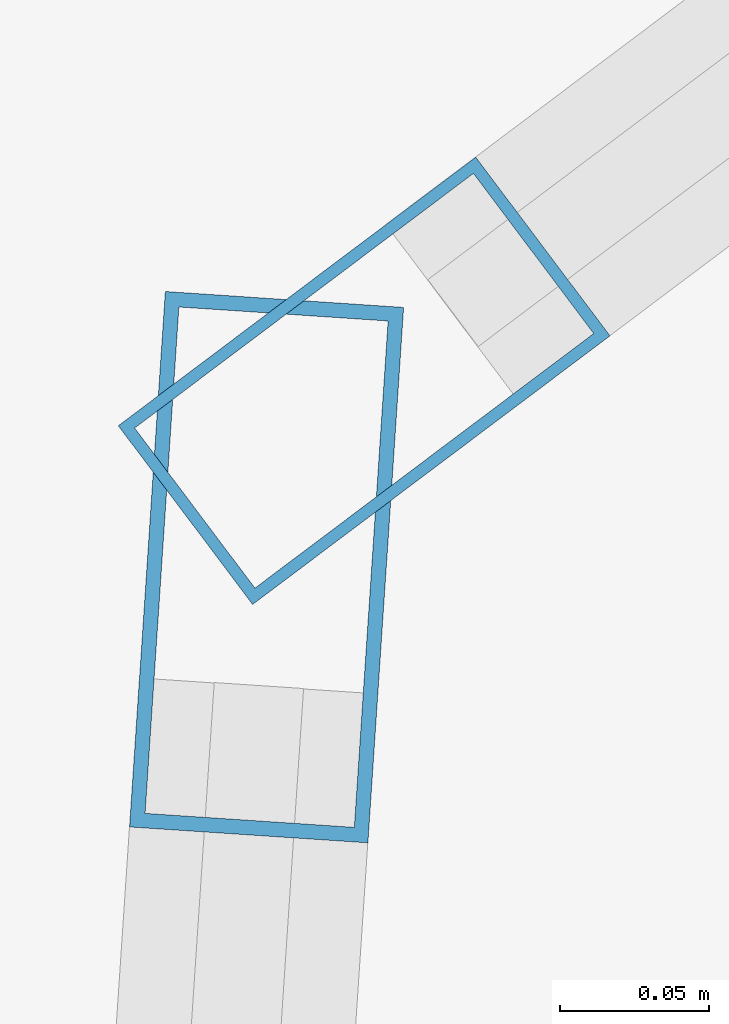
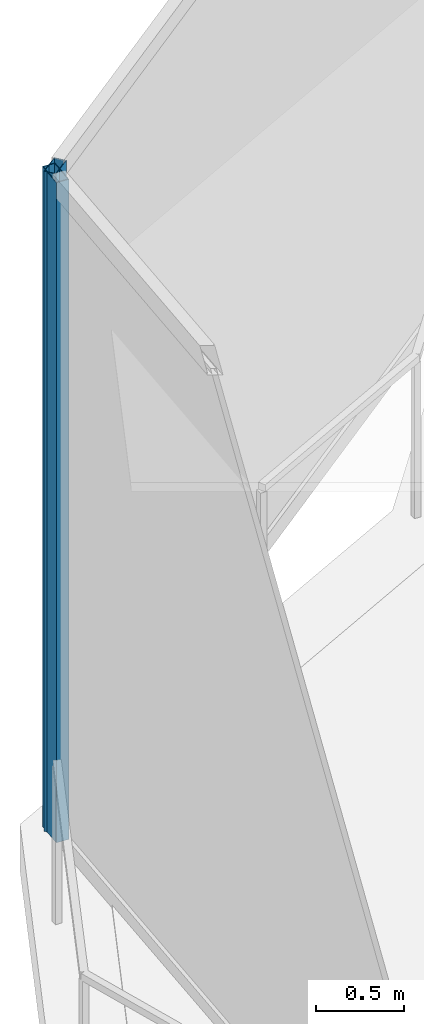
# One storey, part 16 of 30: 2 members, 2 elements without a shape of their own.
"""IFC4 building model written with IfcOpenShell, lengths in metres."""

from ifc_helpers import new_model, si_unit, direction, frame, origin, origin_2d, place, context, subcontext, project, spatial, hollow_rectangle, extrude, material, layer, layer_set, material_profile, profile_set, type_object, element, aggregate, save


model = new_model("IFC4")

# Units and contexts
model_context = context("Model", 3, precision=1e-05, world=origin(), true_north=direction((0.0, 1.0)))
body_context = subcontext(model_context, "Body", "Model", "MODEL_VIEW")
ifc_project = project(units=[si_unit("LENGTHUNIT", "METRE"), si_unit("AREAUNIT", "SQUARE_METRE"), si_unit("VOLUMEUNIT", "CUBIC_METRE"), si_unit("PLANEANGLEUNIT", "RADIAN"), si_unit("MASSUNIT", "GRAM", prefix="KILO")], contexts=[model_context])

# Site, building, storey
site_placement = place(None, origin())
site = spatial("IfcSite", under=ifc_project, at=site_placement, CompositionType="ELEMENT")
building_placement = place(site_placement, origin())
building = spatial("IfcBuilding", under=site, at=building_placement, Name="Kazevale Care Tower and Concert Hall", CompositionType="ELEMENT")
storey_placement = place(building_placement, frame((0.0, 0.0, 97.800048828125)))
storey = spatial("IfcBuildingStorey", under=building, at=storey_placement, Name="L25", CompositionType="ELEMENT", Elevation=97.800048828125)

# Curtain wall, member
ifc_material_1 = material(Name="Aluminium 6063-T6 and Low-E Glass", Category="aluminium")
ifc_layer_1 = layer(ifc_material_1, 0.179931640625)
ifc_layer_set_1 = layer_set([ifc_layer_1], Name="Aluminium 6063-T6 and Low-E Glass")
curtain_wall_type_1 = type_object("IfcCurtainWallType", Name="Convex Recessed Sunroom Curtain Wall CW-3", PredefinedType="NOTDEFINED", material=ifc_layer_set_1)
curtain_wall_1_placement = place(storey_placement, origin())
curtain_wall_1 = element("IfcCurtainWall", 1, at=curtain_wall_1_placement, inside=storey, type_object=curtain_wall_type_1, Name="cw:L25:f14", PredefinedType="NOTDEFINED")
ifc_material_2 = material(Name="Aluminium 6063-T6", Category="aluminium")
ifc_material_profile_1 = material_profile(ifc_material_2, hollow_rectangle(XDim=0.074951171875, YDim=0.14990234375, WallThickness=0.00390625, at=origin_2d()), Name="ALU75x150x4")
ifc_profile_set_1 = profile_set([ifc_material_profile_1], Name="Aluminium 6063-T6")
member_type_1 = type_object("IfcMemberType", Name="CW-3 Mullion ALU75x150x4", PredefinedType="MULLION", material=ifc_profile_set_1)
member_1_placement = place(storey_placement, frame((16.55908203125, 49.66748046875, 0.0), z_axis=(0.0, 0.0, 1.0), x_axis=(-0.600797902474, 0.799400950952, 0.0)))
member_1 = element("IfcMember", 2, at=member_1_placement, type_object=member_type_1, Name="CW-3 mullion 1", PredefinedType="MULLION", context=body_context, shape_type="SweptSolid", body=[
    extrude(hollow_rectangle(XDim=0.074951171875, YDim=0.14990234375, WallThickness=0.00390625, at=origin_2d()), origin(), (0.0, 0.0, 1.0), 4.56005859375),
])
aggregate(curtain_wall_1, [member_1])

ifc_layer_2 = layer(ifc_material_1, 0.179931640625)
ifc_layer_set_2 = layer_set([ifc_layer_2], Name="Aluminium 6063-T6 and Low-E Glass")
curtain_wall_type_2 = type_object("IfcCurtainWallType", Name="Waist & Upper Residential Curtain Wall CW-4", PredefinedType="NOTDEFINED", material=ifc_layer_set_2)
curtain_wall_2_placement = place(storey_placement, origin())
curtain_wall_2 = element("IfcCurtainWall", 3, at=curtain_wall_2_placement, inside=storey, type_object=curtain_wall_type_2, Name="cw:L25:f13", PredefinedType="NOTDEFINED")
ifc_material_profile_2 = material_profile(ifc_material_2, hollow_rectangle(XDim=0.080078125, YDim=0.179931640625, WallThickness=0.0048828125, at=origin_2d()), Name="ALU80x180x5")
ifc_profile_set_2 = profile_set([ifc_material_profile_2], Name="Aluminium 6063-T6")
member_type_2 = type_object("IfcMemberType", Name="CW-4 Mullion ALU80x180x5", PredefinedType="MULLION", material=ifc_profile_set_2)
member_2_placement = place(storey_placement, frame((16.5263671875, 49.60498046875, 0.0), z_axis=(0.0, 0.0, 1.0), x_axis=(-0.997778418439, 0.06662002475, 0.0)))
member_2 = element("IfcMember", 4, at=member_2_placement, type_object=member_type_2, Name="CW-4 mullion 2", PredefinedType="MULLION", context=body_context, shape_type="SweptSolid", body=[
    extrude(hollow_rectangle(XDim=0.080078125, YDim=0.179931640625, WallThickness=0.0048828125, at=origin_2d()), origin(), (0.0, 0.0, 1.0), 4.56005859375),
])
aggregate(curtain_wall_2, [member_2])

save(model, "model.ifc")
